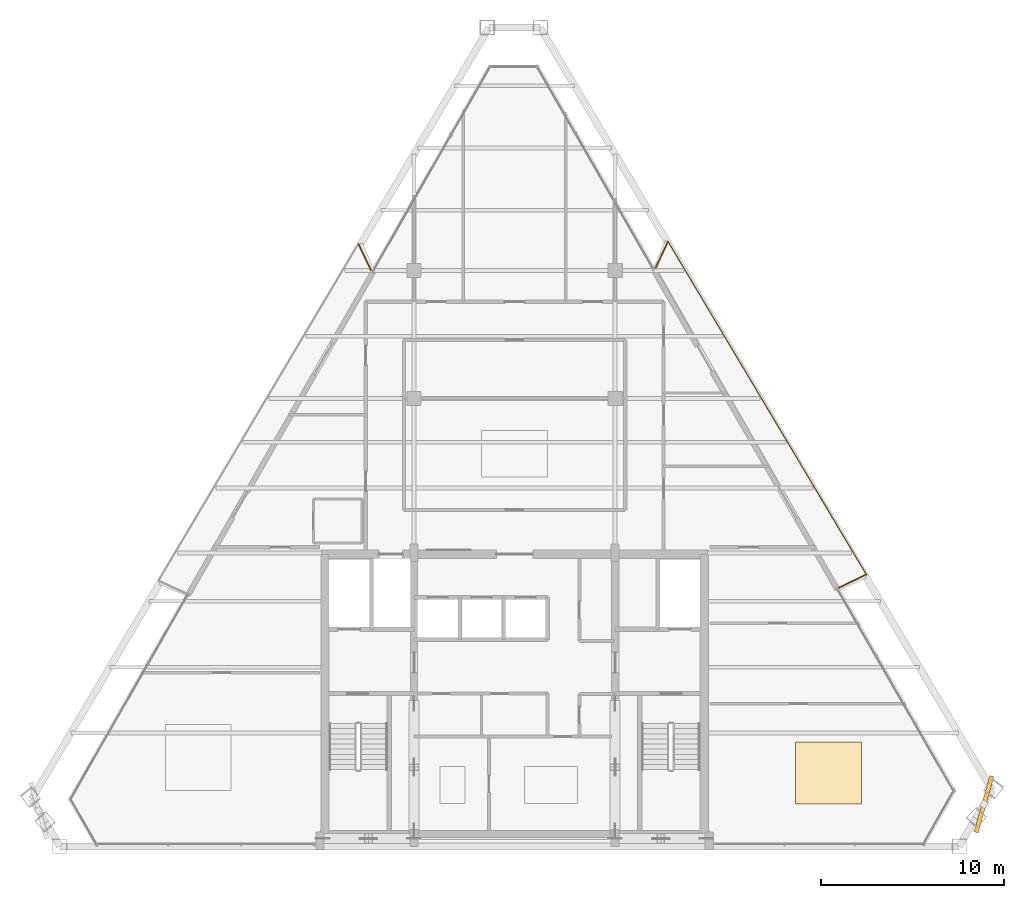
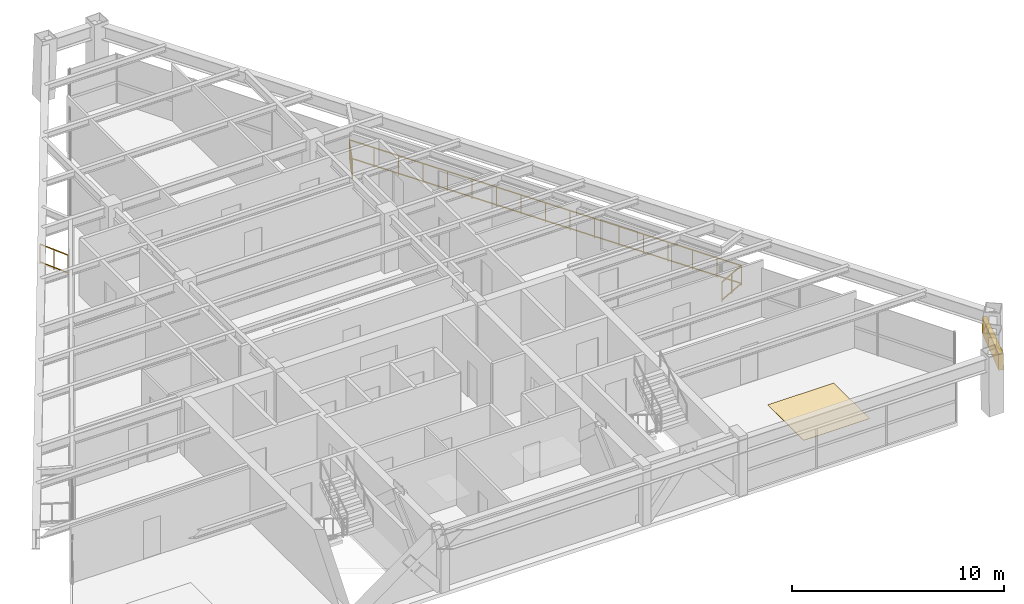
# One storey, part 13 of 13: 4 railings, 1 covering, 1 shading device.
"""IFC4 building model written with IfcOpenShell, lengths in metres."""

from ifc_helpers import new_model, si_unit, direction, frame, origin, origin_2d, place, context, subcontext, project, spatial, rectangle, extrude, source, transform, mapped, material, layer, layer_set, type_object, type_shapes, element, save


model = new_model("IFC4")

# Units and contexts
model_context = context("Model", 3, precision=1e-05, world=origin(), true_north=direction((0.0, 1.0)))
body_context = subcontext(model_context, "Body", "Model", "MODEL_VIEW")
ifc_project = project(units=[si_unit("LENGTHUNIT", "METRE"), si_unit("AREAUNIT", "SQUARE_METRE"), si_unit("VOLUMEUNIT", "CUBIC_METRE"), si_unit("PLANEANGLEUNIT", "RADIAN"), si_unit("MASSUNIT", "GRAM", prefix="KILO")], contexts=[model_context])

# Site, building, storey
site_placement = place(None, origin())
site = spatial("IfcSite", under=ifc_project, at=site_placement, CompositionType="ELEMENT")
building_placement = place(site_placement, origin())
building = spatial("IfcBuilding", under=site, at=building_placement, Name="Varnakhor Terracotta Tower", CompositionType="ELEMENT")
storey_placement = place(building_placement, frame((0.0, 0.0, 297.14990234375)))
storey = spatial("IfcBuildingStorey", under=building, at=storey_placement, Name="L78", CompositionType="ELEMENT", Elevation=297.14990234375)

# Railings
ifc_material_1 = material(Name="Stainless Steel & Laminated Glass Guardrail", Category="steel")
railing_type = type_object("IfcRailingType", Name="RLG-LOGGIA-GUARD-1150", PredefinedType="GUARDRAIL", material=ifc_material_1)
railing_1_placement = place(storey_placement, frame((7.707275390625, 31.631103515625, 0.0)))
element("IfcRailing", 1, at=railing_1_placement, inside=storey, type_object=railing_type, Name="L78 E Loggia Glass Guard 1", PredefinedType="GUARDRAIL", context=body_context, shape_type="SweptSolid", body=[
    extrude(rectangle(XDim=0.048095703125, YDim=0.048095703125, at=origin_2d()), frame((0.0, 0.0, 1.1259765625), z_axis=(0.426250551653, 0.904605144367, 0.0), x_axis=(-0.904605144367, 0.426250551653, 0.0)), (0.0, 0.0, 1.0), 1.607177734375),
    extrude(rectangle(XDim=0.048095703125, YDim=0.048095703125, at=origin_2d()), frame((0.0, 0.0, 0.10009765625), z_axis=(0.426250551653, 0.904605144367, 0.0), x_axis=(-0.904605144367, 0.426250551653, 0.0)), (0.0, 0.0, 1.0), 1.607177734375),
    extrude(rectangle(XDim=0.0419921875, YDim=0.0419921875, at=origin_2d()), origin(), (0.0, 0.0, 1.0), 1.101806640625),
    extrude(rectangle(XDim=0.0419921875, YDim=0.0419921875, at=origin_2d()), frame((0.342529296875, 0.72705078125, 0.0)), (0.0, 0.0, 1.0), 1.101806640625),
    extrude(rectangle(XDim=0.0419921875, YDim=0.0419921875, at=origin_2d()), frame((0.68505859375, 1.453857421875, 0.0)), (0.0, 0.0, 1.0), 1.101806640625),
])
railing_2_placement = place(storey_placement, frame((8.392333984375, 33.0849609375, 0.0)))
element("IfcRailing", 2, at=railing_2_placement, inside=storey, type_object=railing_type, Name="L78 E Loggia Glass Guard 2", PredefinedType="GUARDRAIL", context=body_context, shape_type="SweptSolid", body=[
    extrude(rectangle(XDim=0.048095703125, YDim=0.048095703125, at=origin_2d()), frame((0.0, 0.0, 1.1259765625), z_axis=(0.511684713464, -0.859173296843, 0.0), x_axis=(0.859173296843, 0.511684713464, 0.0)), (0.0, 0.0, 1.0), 21.197021484375),
    extrude(rectangle(XDim=0.048095703125, YDim=0.048095703125, at=origin_2d()), frame((0.0, 0.0, 0.10009765625), z_axis=(0.511684713464, -0.859173296843, 0.0), x_axis=(0.859173296843, 0.511684713464, 0.0)), (0.0, 0.0, 1.0), 21.197021484375),
    extrude(rectangle(XDim=0.0419921875, YDim=0.0419921875, at=origin_2d()), origin(), (0.0, 0.0, 1.0), 1.101806640625),
    extrude(rectangle(XDim=0.0419921875, YDim=0.0419921875, at=origin_2d()), frame((0.677978515625, -1.13818359375, 0.0)), (0.0, 0.0, 1.0), 1.101806640625),
    extrude(rectangle(XDim=0.0419921875, YDim=0.0419921875, at=origin_2d()), frame((1.355712890625, -2.2763671875, 0.0)), (0.0, 0.0, 1.0), 1.101806640625),
    extrude(rectangle(XDim=0.0419921875, YDim=0.0419921875, at=origin_2d()), frame((2.03369140625, -3.414794921875, 0.0)), (0.0, 0.0, 1.0), 1.101806640625),
    extrude(rectangle(XDim=0.0419921875, YDim=0.0419921875, at=origin_2d()), frame((2.71142578125, -4.552978515625, 0.0)), (0.0, 0.0, 1.0), 1.101806640625),
    extrude(rectangle(XDim=0.0419921875, YDim=0.0419921875, at=origin_2d()), frame((3.389404296875, -5.691162109375, 0.0)), (0.0, 0.0, 1.0), 1.101806640625),
    extrude(rectangle(XDim=0.0419921875, YDim=0.0419921875, at=origin_2d()), frame((4.0673828125, -6.82958984375, 0.0)), (0.0, 0.0, 1.0), 1.101806640625),
    extrude(rectangle(XDim=0.0419921875, YDim=0.0419921875, at=origin_2d()), frame((4.7451171875, -7.9677734375, 0.0)), (0.0, 0.0, 1.0), 1.101806640625),
    extrude(rectangle(XDim=0.0419921875, YDim=0.0419921875, at=origin_2d()), frame((5.423095703125, -9.10595703125, 0.0)), (0.0, 0.0, 1.0), 1.101806640625),
    extrude(rectangle(XDim=0.0419921875, YDim=0.0419921875, at=origin_2d()), frame((6.10107421875, -10.244140625, 0.0)), (0.0, 0.0, 1.0), 1.101806640625),
    extrude(rectangle(XDim=0.0419921875, YDim=0.0419921875, at=origin_2d()), frame((6.77880859375, -11.38232421875, 0.0)), (0.0, 0.0, 1.0), 1.101806640625),
    extrude(rectangle(XDim=0.0419921875, YDim=0.0419921875, at=origin_2d()), frame((7.456787109375, -12.520751953125, 0.0)), (0.0, 0.0, 1.0), 1.101806640625),
    extrude(rectangle(XDim=0.0419921875, YDim=0.0419921875, at=origin_2d()), frame((8.134765625, -13.658935546875, 0.0)), (0.0, 0.0, 1.0), 1.101806640625),
    extrude(rectangle(XDim=0.0419921875, YDim=0.0419921875, at=origin_2d()), frame((8.8125, -14.797119140625, 0.0)), (0.0, 0.0, 1.0), 1.101806640625),
    extrude(rectangle(XDim=0.0419921875, YDim=0.0419921875, at=origin_2d()), frame((9.490478515625, -15.935546875, 0.0)), (0.0, 0.0, 1.0), 1.101806640625),
    extrude(rectangle(XDim=0.0419921875, YDim=0.0419921875, at=origin_2d()), frame((10.168212890625, -17.07373046875, 0.0)), (0.0, 0.0, 1.0), 1.101806640625),
    extrude(rectangle(XDim=0.0419921875, YDim=0.0419921875, at=origin_2d()), frame((10.84619140625, -18.2119140625, 0.0)), (0.0, 0.0, 1.0), 1.101806640625),
])
railing_3_placement = place(storey_placement, frame((19.238525390625, 14.873046875, 0.0)))
element("IfcRailing", 3, at=railing_3_placement, inside=storey, type_object=railing_type, Name="L78 E Loggia Glass Guard 3", PredefinedType="GUARDRAIL", context=body_context, shape_type="SweptSolid", body=[
    extrude(rectangle(XDim=0.048095703125, YDim=0.048095703125, at=origin_2d()), frame((0.0, 0.0, 1.1259765625), z_axis=(-0.897934535833, -0.440129037167, 0.0), x_axis=(0.440129037167, -0.897934535833, 0.0)), (0.0, 0.0, 1.0), 1.6435546875),
    extrude(rectangle(XDim=0.048095703125, YDim=0.048095703125, at=origin_2d()), frame((0.0, 0.0, 0.10009765625), z_axis=(-0.897934535833, -0.440129037167, 0.0), x_axis=(0.440129037167, -0.897934535833, 0.0)), (0.0, 0.0, 1.0), 1.6435546875),
    extrude(rectangle(XDim=0.0419921875, YDim=0.0419921875, at=origin_2d()), origin(), (0.0, 0.0, 1.0), 1.101806640625),
    extrude(rectangle(XDim=0.0419921875, YDim=0.0419921875, at=origin_2d()), frame((-0.73779296875, -0.36181640625, 0.0)), (0.0, 0.0, 1.0), 1.101806640625),
    extrude(rectangle(XDim=0.0419921875, YDim=0.0419921875, at=origin_2d()), frame((-1.475830078125, -0.723388671875, 0.0)), (0.0, 0.0, 1.0), 1.101806640625),
])
railing_4_placement = place(storey_placement, frame((-8.5419921875, 32.95458984375, 0.0)))
element("IfcRailing", 4, at=railing_4_placement, inside=storey, type_object=railing_type, Name="L78 W Loggia Glass Guard 3", PredefinedType="GUARDRAIL", context=body_context, shape_type="SweptSolid", body=[
    extrude(rectangle(XDim=0.048095703125, YDim=0.048095703125, at=origin_2d()), frame((0.0, 0.0, 1.1259765625), z_axis=(0.430766201666, -0.902463561315, 0.0), x_axis=(0.902463561315, 0.430766201666, 0.0)), (0.0, 0.0, 1.0), 1.6044921875),
    extrude(rectangle(XDim=0.048095703125, YDim=0.048095703125, at=origin_2d()), frame((0.0, 0.0, 0.10009765625), z_axis=(0.430766201666, -0.902463561315, 0.0), x_axis=(0.902463561315, 0.430766201666, 0.0)), (0.0, 0.0, 1.0), 1.6044921875),
    extrude(rectangle(XDim=0.0419921875, YDim=0.0419921875, at=origin_2d()), origin(), (0.0, 0.0, 1.0), 1.101806640625),
    extrude(rectangle(XDim=0.0419921875, YDim=0.0419921875, at=origin_2d()), frame((0.345703125, -0.72412109375, 0.0)), (0.0, 0.0, 1.0), 1.101806640625),
    extrude(rectangle(XDim=0.0419921875, YDim=0.0419921875, at=origin_2d()), frame((0.691162109375, -1.447998046875, 0.0)), (0.0, 0.0, 1.0), 1.101806640625),
])

# Shading device
ifc_material_2 = material(Name="Extruded Architectural Terracotta Screen", Category="masonry")
shading_device_type = type_object("IfcShadingDeviceType", Name="TERRACOTTA SOLAR SCREEN E", PredefinedType="USERDEFINED", material=ifc_material_2)
shared_shape_1 = source(origin(), body_context, "Body", "SweptSolid", [
    extrude(rectangle(XDim=3.199951171875, YDim=0.239990234375, at=origin_2d()), origin(), (0.0, 0.0, 1.0), 0.919921875),
])
type_shapes(shading_device_type, [shared_shape_1])
shading_device_placement = place(storey_placement, frame((25.67919921875, 2.298583984375, 1.562255859375), z_axis=(0.0, 0.0, 1.0), x_axis=(0.269911488986, 0.962885137549, 0.0)))
element("IfcShadingDevice", 5, at=shading_device_placement, inside=storey, type_object=shading_device_type, Name="L78 E Terracotta Solar Screen", ObjectType="SCREEN", PredefinedType="USERDEFINED", context=body_context, shape_type="MappedRepresentation", body=[
    mapped(shared_shape_1, transform((0.0, 0.0, 0.0), scale=1.0)),
])

# Covering
ifc_material_3 = material(Name="Honed Riyadh Limestone Flooring", Category="masonry")
ifc_layer = layer(ifc_material_3, 0.030029296875, Name="Honed Riyadh Limestone Flooring")
ifc_layer_set = layer_set([ifc_layer], Name="Honed Riyadh Limestone Flooring")
covering_type = type_object("IfcCoveringType", Name="COV-FLOOR-LIMESTONE", PredefinedType="FLOORING", material=ifc_layer_set)
shared_shape_2 = source(origin(), body_context, "Body", "SweptSolid", [
    extrude(rectangle(XDim=3.60009765625, YDim=3.382080078125, at=origin_2d()), origin(), (0.0, 0.0, 1.0), 0.02001953125),
])
covering_placement = place(storey_placement, frame((17.179931640625, 4.0048828125, 0.0), z_axis=(0.0, 0.0, 1.0), x_axis=(1.0, 0.0, 0.0)))
element("IfcCovering", 6, at=covering_placement, inside=storey, type_object=covering_type, Name="L78 Honed Stone Flooring 3", PredefinedType="FLOORING", context=body_context, shape_type="MappedRepresentation", body=[
    mapped(shared_shape_2, transform((0.0, 0.0, 0.0), scale=1.0)),
])

save(model, "model.ifc")
